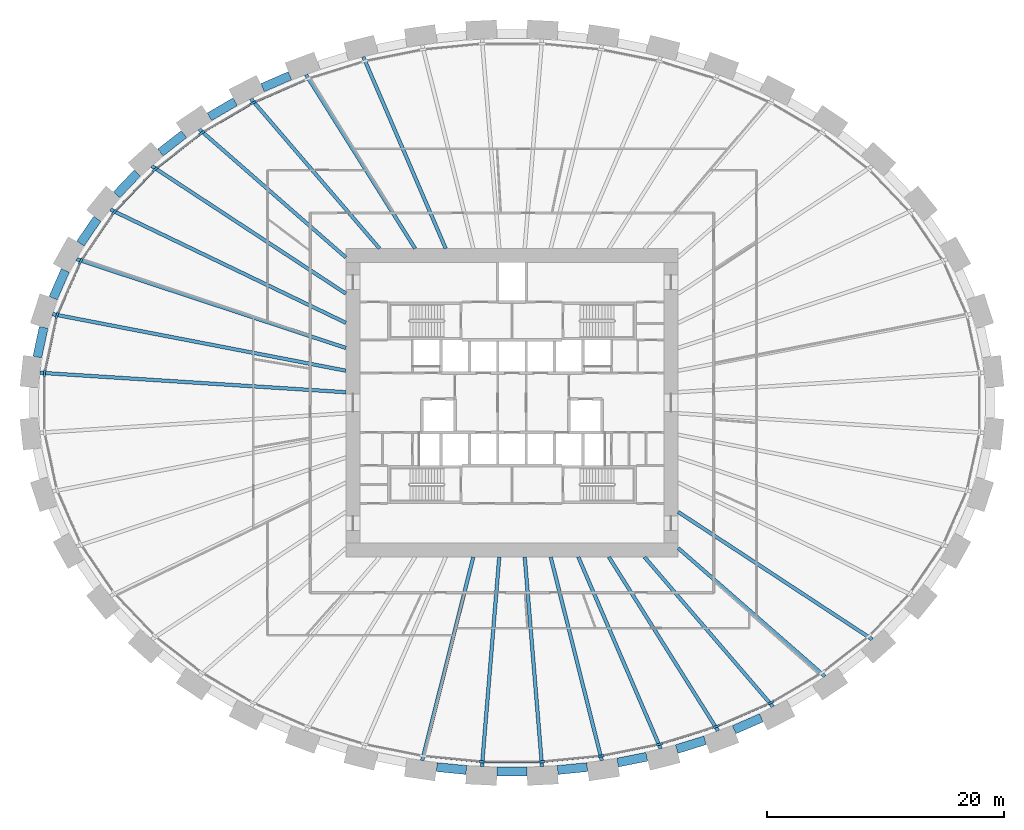
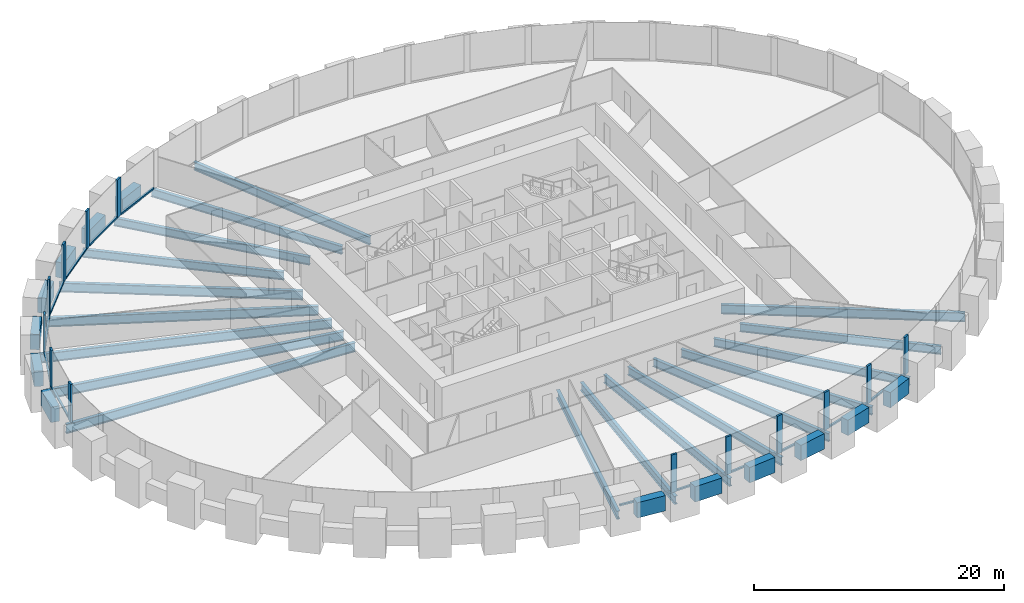
# One storey, part 2 of 11: 31 beams, 26 members, 1 element without a shape of its own.
"""IFC4 building model written with IfcOpenShell, lengths in metres."""

from ifc_helpers import new_model, si_unit, direction, frame, origin, origin_2d, place, context, subcontext, project, spatial, rectangle, i_section, extrude, source, transform, mapped, material, material_profile, profile_set, type_object, element, aggregate, save


model = new_model("IFC4")

# Units and contexts
model_context = context("Model", 3, precision=1e-05, world=origin(), true_north=direction((0.0, 1.0)))
body_context = subcontext(model_context, "Body", "Model", "MODEL_VIEW")
ifc_project = project(units=[si_unit("LENGTHUNIT", "METRE"), si_unit("AREAUNIT", "SQUARE_METRE"), si_unit("VOLUMEUNIT", "CUBIC_METRE"), si_unit("PLANEANGLEUNIT", "RADIAN"), si_unit("MASSUNIT", "GRAM", prefix="KILO")], contexts=[model_context])

# Site, building, storey
site_placement = place(None, origin())
site = spatial("IfcSite", under=ifc_project, at=site_placement, CompositionType="ELEMENT")
building_placement = place(site_placement, origin())
building = spatial("IfcBuilding", under=site, at=building_placement, Name="Embergate Tower", CompositionType="ELEMENT")
storey_placement = place(building_placement, frame((0.0, 0.0, 58.10009765625)))
storey = spatial("IfcBuildingStorey", under=building, at=storey_placement, Name="L10", CompositionType="ELEMENT", Elevation=58.10009765625)

# Beams
ifc_material_1 = material(Name="Concrete C70", Category="concrete")
ifc_material_profile_1 = material_profile(ifc_material_1, rectangle(XDim=0.75, YDim=1.5, at=origin_2d()), Name="RC 750x1500")
ifc_profile_set_1 = profile_set([ifc_material_profile_1], Name="Concrete C70")
beam_type_1 = type_object("IfcBeamType", Name="Spandrel beam RC 750x1500 C70", PredefinedType="BEAM", material=ifc_profile_set_1)
shared_shape_1 = source(origin(), body_context, "Body", "SweptSolid", [
    extrude(rectangle(XDim=0.75, YDim=1.5, at=origin_2d()), origin(), (0.0, 0.0, 1.0), 2.5439453125),
])
beam_1_placement = place(storey_placement, frame((-39.466064453125, 6.344970703125, 0.0), z_axis=(-0.210269633901, -0.977643432474, 0.0), x_axis=(0.977643432474, -0.210269633901, 0.0)))
element("IfcBeam", 1, at=beam_1_placement, inside=storey, type_object=beam_type_1, Name="SPN-L10-20", PredefinedType="BEAM", context=body_context, shape_type="MappedRepresentation", body=[
    mapped(shared_shape_1, transform((0.0, 0.0, 0.0))),
])
shared_shape_2 = source(origin(), body_context, "Body", "SweptSolid", [
    extrude(rectangle(XDim=0.75, YDim=1.5, at=origin_2d()), origin(), (0.0, 0.0, 1.0), 2.540771484375),
])
beam_2_placement = place(storey_placement, frame((-37.64599609375, 11.14599609375, 0.0), z_axis=(-0.401479097778, -0.915868185956, 0.0), x_axis=(0.915868185956, -0.401479097778, 0.0)))
element("IfcBeam", 2, at=beam_2_placement, inside=storey, type_object=beam_type_1, Name="SPN-L10-19", PredefinedType="BEAM", context=body_context, shape_type="MappedRepresentation", body=[
    mapped(shared_shape_2, transform((0.0, 0.0, 0.0))),
])
shared_shape_3 = source(origin(), body_context, "Body", "SweptSolid", [
    extrude(rectangle(XDim=0.75, YDim=1.5, at=origin_2d()), origin(), (0.0, 0.0, 1.0), 2.5302734375),
])
beam_3_placement = place(storey_placement, frame((-34.947021484375, 15.5029296875, 0.0), z_axis=(-0.562447254988, -0.82683316658, 0.0), x_axis=(0.82683316658, -0.562447254988, 0.0)))
element("IfcBeam", 3, at=beam_3_placement, inside=storey, type_object=beam_type_1, Name="SPN-L10-18", PredefinedType="BEAM", context=body_context, shape_type="MappedRepresentation", body=[
    mapped(shared_shape_3, transform((0.0, 0.0, 0.0))),
])
shared_shape_4 = source(origin(), body_context, "Body", "SweptSolid", [
    extrude(rectangle(XDim=0.75, YDim=1.5, at=origin_2d()), origin(), (0.0, 0.0, 1.0), 2.525146484375),
])
beam_4_placement = place(storey_placement, frame((-31.571044921875, 19.35302734375, 0.0), z_axis=(-0.689836216716, -0.723965464719, 0.0), x_axis=(0.723965464719, -0.689836216716, 0.0)))
element("IfcBeam", 4, at=beam_4_placement, inside=storey, type_object=beam_type_1, Name="SPN-L10-17", PredefinedType="BEAM", context=body_context, shape_type="MappedRepresentation", body=[
    mapped(shared_shape_4, transform((0.0, 0.0, 0.0))),
])
shared_shape_5 = source(origin(), body_context, "Body", "SweptSolid", [
    extrude(rectangle(XDim=0.75, YDim=1.5, at=origin_2d()), origin(), (0.0, 0.0, 1.0), 2.51708984375),
])
beam_5_placement = place(storey_placement, frame((-27.64599609375, 22.632080078125, 0.0), z_axis=(-0.788186103863, -0.615436971328, 0.0), x_axis=(0.615436971328, -0.788186103863, 0.0)))
element("IfcBeam", 5, at=beam_5_placement, inside=storey, type_object=beam_type_1, Name="SPN-L10-16", PredefinedType="BEAM", context=body_context, shape_type="MappedRepresentation", body=[
    mapped(shared_shape_5, transform((0.0, 0.0, 0.0))),
])
shared_shape_6 = source(origin(), body_context, "Body", "SweptSolid", [
    extrude(rectangle(XDim=0.75, YDim=1.5, at=origin_2d()), origin(), (0.0, 0.0, 1.0), 2.512451171875),
])
beam_6_placement = place(storey_placement, frame((-23.330078125, 25.366943359375, 0.0), z_axis=(-0.862138987282, -0.506671852986, 0.0), x_axis=(0.506671852986, -0.862138987282, 0.0)))
element("IfcBeam", 6, at=beam_6_placement, inside=storey, type_object=beam_type_1, Name="SPN-L10-15", PredefinedType="BEAM", context=body_context, shape_type="MappedRepresentation", body=[
    mapped(shared_shape_6, transform((0.0, 0.0, 0.0))),
])
shared_shape_7 = source(origin(), body_context, "Body", "SweptSolid", [
    extrude(rectangle(XDim=0.75, YDim=1.5, at=origin_2d()), origin(), (0.0, 0.0, 1.0), 2.508056640625),
])
for number, where, z_axis, x_axis, name in (
    (7, (-18.716064453125, 27.553955078125, 0.0), (-0.916219880472, -0.400675842331, 0.0), (0.400675842331, -0.916219880472, 0.0), "SPN-L10-14"),
    (8, (18.716064453125, -27.553955078125, 0.0), (0.916219880472, 0.400675842331, 0.0), (-0.400675842331, 0.916219880472, 0.0), "SPN-L10-36"),
):
    element("IfcBeam", number, at=place(storey_placement, frame(where, z_axis=z_axis, x_axis=x_axis)), inside=storey, type_object=beam_type_1, Name=name, PredefinedType="BEAM", context=body_context, shape_type="MappedRepresentation", body=[
        mapped(shared_shape_7, transform((0.0, 0.0, 0.0))),
    ])
shared_shape_8 = source(origin(), body_context, "Body", "SweptSolid", [
    extrude(rectangle(XDim=0.75, YDim=1.5, at=origin_2d()), origin(), (0.0, 0.0, 1.0), 2.505126953125),
])
beam_7_placement = place(storey_placement, frame((13.881103515625, -29.18896484375, 0.0), z_axis=(0.95477257779, 0.297337055715, 0.0), x_axis=(-0.297337055715, 0.95477257779, 0.0)))
element("IfcBeam", 9, at=beam_7_placement, inside=storey, type_object=beam_type_1, Name="SPN-L10-35", PredefinedType="BEAM", context=body_context, shape_type="MappedRepresentation", body=[
    mapped(shared_shape_8, transform((0.0, 0.0, 0.0))),
])
shared_shape_9 = source(origin(), body_context, "Body", "SweptSolid", [
    extrude(rectangle(XDim=0.75, YDim=1.5, at=origin_2d()), origin(), (0.0, 0.0, 1.0), 2.5029296875),
])
beam_8_placement = place(storey_placement, frame((8.907958984375, -30.323974609375, 0.0), z_axis=(0.980494293439, 0.196547552853, 0.0), x_axis=(-0.196547552853, 0.980494293439, 0.0)))
element("IfcBeam", 10, at=beam_8_placement, inside=storey, type_object=beam_type_1, Name="SPN-L10-34", PredefinedType="BEAM", context=body_context, shape_type="MappedRepresentation", body=[
    mapped(shared_shape_9, transform((0.0, 0.0, 0.0))),
])
shared_shape_10 = source(origin(), body_context, "Body", "SweptSolid", [
    extrude(rectangle(XDim=0.75, YDim=1.5, at=origin_2d()), origin(), (0.0, 0.0, 1.0), 2.5009765625),
])
for number, where, z_axis, x_axis, name in (
    (11, (-6.3369140625, -30.70703125, 0.0), (0.995195384031, -0.097908873976, 0.0), (0.097908873976, 0.995195384031, 0.0), "SPN-L10-31"),
    (12, (3.847900390625, -30.951904296875, 0.0), (0.995195384031, 0.097908873976, 0.0), (-0.097908873976, 0.995195384031, 0.0), "SPN-L10-33"),
):
    element("IfcBeam", number, at=place(storey_placement, frame(where, z_axis=z_axis, x_axis=x_axis)), inside=storey, type_object=beam_type_1, Name=name, PredefinedType="BEAM", context=body_context, shape_type="MappedRepresentation", body=[
        mapped(shared_shape_10, transform((0.0, 0.0, 0.0))),
    ])
shared_shape_11 = source(origin(), body_context, "Body", "SweptSolid", [
    extrude(rectangle(XDim=0.75, YDim=1.5, at=origin_2d()), origin(), (0.0, 0.0, 1.0), 2.501953125),
])
beam_9_placement = place(storey_placement, frame((-1.2509765625, -31.0791015625, 0.0), z_axis=(1.0, 0.0, 0.0), x_axis=(0.0, 1.0, 0.0)))
element("IfcBeam", 13, at=beam_9_placement, inside=storey, type_object=beam_type_1, Name="SPN-L10-32", PredefinedType="BEAM", context=body_context, shape_type="MappedRepresentation", body=[
    mapped(shared_shape_11, transform((0.0, 0.0, 0.0))),
])
ifc_material_2 = material(Name="Steel Q355B", Category="steel")
ifc_material_profile_2 = material_profile(ifc_material_2, i_section(OverallWidth=0.300048828125, OverallDepth=0.89990234375, WebThickness=0.01611328125, FlangeThickness=0.028076171875, FilletRadius=0.028076171875, at=origin_2d()), Name="HN 900x300x16x28")
ifc_profile_set_2 = profile_set([ifc_material_profile_2], Name="Steel Q355 grade B")
beam_type_2 = type_object("IfcBeamType", Name="Radial girder HN 900x300x16x28", PredefinedType="BEAM", material=ifc_profile_set_2)
shared_shape_12 = source(origin(), body_context, "Body", "SweptSolid", [
    extrude(i_section(OverallWidth=0.300048828125, OverallDepth=0.89990234375, WebThickness=0.01611328125, FlangeThickness=0.028076171875, FilletRadius=0.028076171875, at=origin_2d()), origin(), (0.0, 0.0, 1.0), 25.8330078125),
])
beam_10_placement = place(storey_placement, frame((-39.781005859375, 2.527099609375, -0.650146484375), z_axis=(0.997987282957, -0.063414375786, 0.0), x_axis=(0.063414375786, 0.997987282957, 0.0)))
element("IfcBeam", 14, at=beam_10_placement, inside=storey, type_object=beam_type_2, Name="GIR-L10-21", PredefinedType="BEAM", context=body_context, shape_type="MappedRepresentation", body=[
    mapped(shared_shape_12, transform((0.0, 0.0, 0.0))),
])
shared_shape_13 = source(origin(), body_context, "Body", "SweptSolid", [
    extrude(i_section(OverallWidth=0.300048828125, OverallDepth=0.89990234375, WebThickness=0.01611328125, FlangeThickness=0.028076171875, FilletRadius=0.028076171875, at=origin_2d()), origin(), (0.0, 0.0, 1.0), 25.173583984375),
])
beam_11_placement = place(storey_placement, frame((-38.718017578125, 7.468994140625, -0.650146484375), z_axis=(0.981898721565, -0.189406706822, 0.0), x_axis=(0.189406706822, 0.981898721565, 0.0)))
element("IfcBeam", 15, at=beam_11_placement, inside=storey, type_object=beam_type_2, Name="GIR-L10-20", PredefinedType="BEAM", context=body_context, shape_type="MappedRepresentation", body=[
    mapped(shared_shape_13, transform((0.0, 0.0, 0.0))),
])
shared_shape_14 = source(origin(), body_context, "Body", "SweptSolid", [
    extrude(i_section(OverallWidth=0.300048828125, OverallDepth=0.89990234375, WebThickness=0.01611328125, FlangeThickness=0.028076171875, FilletRadius=0.028076171875, at=origin_2d()), origin(), (0.0, 0.0, 1.0), 23.889404296875),
])
beam_12_placement = place(storey_placement, frame((-36.68701171875, 12.10009765625, -0.650146484375), z_axis=(0.949672981662, -0.313243081171, 0.0), x_axis=(0.313243081171, 0.949672981662, 0.0)))
element("IfcBeam", 16, at=beam_12_placement, inside=storey, type_object=beam_type_2, Name="GIR-L10-19", PredefinedType="BEAM", context=body_context, shape_type="MappedRepresentation", body=[
    mapped(shared_shape_14, transform((0.0, 0.0, 0.0))),
])
shared_shape_15 = source(origin(), body_context, "Body", "SweptSolid", [
    extrude(i_section(OverallWidth=0.300048828125, OverallDepth=0.89990234375, WebThickness=0.01611328125, FlangeThickness=0.028076171875, FilletRadius=0.028076171875, at=origin_2d()), origin(), (0.0, 0.0, 1.0), 22.020751953125),
])
beam_13_placement = place(storey_placement, frame((-33.843994140625, 16.281005859375, -0.650146484375), z_axis=(0.90115457104, -0.433497911291, 0.0), x_axis=(0.433497911291, 0.90115457104, 0.0)))
element("IfcBeam", 17, at=beam_13_placement, inside=storey, type_object=beam_type_2, Name="GIR-L10-18", PredefinedType="BEAM", context=body_context, shape_type="MappedRepresentation", body=[
    mapped(shared_shape_15, transform((0.0, 0.0, 0.0))),
])
shared_shape_16 = source(origin(), body_context, "Body", "SweptSolid", [
    extrude(i_section(OverallWidth=0.300048828125, OverallDepth=0.89990234375, WebThickness=0.01611328125, FlangeThickness=0.028076171875, FilletRadius=0.028076171875, at=origin_2d()), origin(), (0.0, 0.0, 1.0), 19.56591796875),
])
for number, where, z_axis, x_axis, name in (
    (18, (-30.35205078125, 19.94189453125, -0.650146484375), (0.835746219167, -0.549115886812, 0.0), (0.549115886812, 0.835746219167, 0.0), "GIR-L10-17"),
    (19, (30.35205078125, -19.94189453125, -0.650146484375), (-0.835746219167, 0.549115886812, 0.0), (-0.549115886812, -0.835746219167, 0.0), "GIR-L10-39"),
):
    element("IfcBeam", number, at=place(storey_placement, frame(where, z_axis=z_axis, x_axis=x_axis)), inside=storey, type_object=beam_type_2, Name=name, PredefinedType="BEAM", context=body_context, shape_type="MappedRepresentation", body=[
        mapped(shared_shape_16, transform((0.0, 0.0, 0.0))),
    ])
ifc_material_profile_3 = material_profile(ifc_material_2, i_section(OverallWidth=0.300048828125, OverallDepth=0.800048828125, WebThickness=0.013916015625, FlangeThickness=0.02587890625, FilletRadius=0.028076171875, at=origin_2d()), Name="HN 800x300x14x26")
ifc_profile_set_3 = profile_set([ifc_material_profile_3], Name="Steel Q355 grade B")
beam_type_3 = type_object("IfcBeamType", Name="Radial girder HN 800x300x14x26", PredefinedType="BEAM", material=ifc_profile_set_3)
shared_shape_17 = source(origin(), body_context, "Body", "SweptSolid", [
    extrude(i_section(OverallWidth=0.300048828125, OverallDepth=0.800048828125, WebThickness=0.013916015625, FlangeThickness=0.02587890625, FilletRadius=0.028076171875, at=origin_2d()), origin(), (0.0, 0.0, 1.0), 16.424560546875),
])
for number, where, z_axis, x_axis, name in (
    (20, (-26.364013671875, 23.055908203125, -0.60009765625), (0.752772791173, -0.658280430265, 0.0), (0.658280430265, 0.752772791173, 0.0), "GIR-L10-16"),
    (21, (26.364013671875, -23.055908203125, -0.60009765625), (-0.752772791173, 0.658280430265, 0.0), (-0.658280430265, -0.752772791173, 0.0), "GIR-L10-38"),
):
    element("IfcBeam", number, at=place(storey_placement, frame(where, z_axis=z_axis, x_axis=x_axis)), inside=storey, type_object=beam_type_3, Name=name, PredefinedType="BEAM", context=body_context, shape_type="MappedRepresentation", body=[
        mapped(shared_shape_17, transform((0.0, 0.0, 0.0))),
    ])
shared_shape_18 = source(origin(), body_context, "Body", "SweptSolid", [
    extrude(i_section(OverallWidth=0.300048828125, OverallDepth=0.800048828125, WebThickness=0.013916015625, FlangeThickness=0.02587890625, FilletRadius=0.028076171875, at=origin_2d()), origin(), (0.0, 0.0, 1.0), 16.6357421875),
])
for number, where, z_axis, x_axis, name in (
    (22, (-22.0009765625, 25.62109375, -0.60009765625), (0.651477578484, -0.758667888297, 0.0), (0.758667888297, 0.651477578484, 0.0), "GIR-L10-15"),
    (23, (22.0009765625, -25.62109375, -0.60009765625), (-0.651477578484, 0.758667888297, 0.0), (-0.758667888297, -0.651477578484, 0.0), "GIR-L10-37"),
):
    element("IfcBeam", number, at=place(storey_placement, frame(where, z_axis=z_axis, x_axis=x_axis)), inside=storey, type_object=beam_type_3, Name=name, PredefinedType="BEAM", context=body_context, shape_type="MappedRepresentation", body=[
        mapped(shared_shape_18, transform((0.0, 0.0, 0.0))),
    ])
shared_shape_19 = source(origin(), body_context, "Body", "SweptSolid", [
    extrude(i_section(OverallWidth=0.300048828125, OverallDepth=0.800048828125, WebThickness=0.013916015625, FlangeThickness=0.02587890625, FilletRadius=0.028076171875, at=origin_2d()), origin(), (0.0, 0.0, 1.0), 17.29833984375),
])
for number, where, z_axis, x_axis, name in (
    (24, (-17.364013671875, 27.64892578125, -0.60009765625), (0.53184228431, -0.84684342391, 0.0), (0.84684342391, 0.53184228431, 0.0), "GIR-L10-14"),
    (25, (17.364013671875, -27.64892578125, -0.60009765625), (-0.53184228431, 0.84684342391, 0.0), (-0.84684342391, -0.53184228431, 0.0), "GIR-L10-36"),
):
    element("IfcBeam", number, at=place(storey_placement, frame(where, z_axis=z_axis, x_axis=x_axis)), inside=storey, type_object=beam_type_3, Name=name, PredefinedType="BEAM", context=body_context, shape_type="MappedRepresentation", body=[
        mapped(shared_shape_19, transform((0.0, 0.0, 0.0))),
    ])
shared_shape_20 = source(origin(), body_context, "Body", "SweptSolid", [
    extrude(i_section(OverallWidth=0.300048828125, OverallDepth=0.800048828125, WebThickness=0.013916015625, FlangeThickness=0.02587890625, FilletRadius=0.028076171875, at=origin_2d()), origin(), (0.0, 0.0, 1.0), 17.5830078125),
])
for number, where, z_axis, x_axis, name in (
    (26, (-12.531005859375, 29.154052734375, -0.60009765625), (0.394877633305, -0.91873372351, 0.0), (0.91873372351, 0.394877633305, 0.0), "GIR-L10-13"),
    (27, (12.531005859375, -29.154052734375, -0.60009765625), (-0.394877633305, 0.91873372351, 0.0), (-0.91873372351, -0.394877633305, 0.0), "GIR-L10-35"),
):
    element("IfcBeam", number, at=place(storey_placement, frame(where, z_axis=z_axis, x_axis=x_axis)), inside=storey, type_object=beam_type_3, Name=name, PredefinedType="BEAM", context=body_context, shape_type="MappedRepresentation", body=[
        mapped(shared_shape_20, transform((0.0, 0.0, 0.0))),
    ])
shared_shape_21 = source(origin(), body_context, "Body", "SweptSolid", [
    extrude(i_section(OverallWidth=0.300048828125, OverallDepth=0.800048828125, WebThickness=0.013916015625, FlangeThickness=0.02587890625, FilletRadius=0.028076171875, at=origin_2d()), origin(), (0.0, 0.0, 1.0), 17.68115234375),
])
for number, where, z_axis, x_axis, name in (
    (28, (-7.568115234375, -30.14892578125, -0.60009765625), (0.243490697854, 0.969903232317, 0.0), (-0.969903232317, 0.243490697854, 0.0), "GIR-L10-31"),
    (29, (7.568115234375, -30.14892578125, -0.60009765625), (-0.243490697854, 0.969903232317, 0.0), (-0.969903232317, -0.243490697854, 0.0), "GIR-L10-34"),
):
    element("IfcBeam", number, at=place(storey_placement, frame(where, z_axis=z_axis, x_axis=x_axis)), inside=storey, type_object=beam_type_3, Name=name, PredefinedType="BEAM", context=body_context, shape_type="MappedRepresentation", body=[
        mapped(shared_shape_21, transform((0.0, 0.0, 0.0))),
    ])
shared_shape_22 = source(origin(), body_context, "Body", "SweptSolid", [
    extrude(i_section(OverallWidth=0.300048828125, OverallDepth=0.800048828125, WebThickness=0.013916015625, FlangeThickness=0.02587890625, FilletRadius=0.028076171875, at=origin_2d()), origin(), (0.0, 0.0, 1.0), 17.7041015625),
])
for number, where, z_axis, x_axis, name in (
    (30, (-2.531005859375, -30.64404296875, -0.60009765625), (0.082299081422, 0.99660767667, 0.0), (-0.99660767667, 0.082299081422, 0.0), "GIR-L10-32"),
    (31, (2.531005859375, -30.64404296875, -0.60009765625), (-0.082299081422, 0.99660767667, 0.0), (-0.99660767667, -0.082299081422, 0.0), "GIR-L10-33"),
):
    element("IfcBeam", number, at=place(storey_placement, frame(where, z_axis=z_axis, x_axis=x_axis)), inside=storey, type_object=beam_type_3, Name=name, PredefinedType="BEAM", context=body_context, shape_type="MappedRepresentation", body=[
        mapped(shared_shape_22, transform((0.0, 0.0, 0.0))),
    ])

# Curtain wall, members
ifc_material_3 = material(Name="Aluminium and glass", Category="aluminium")
curtain_wall_type = type_object("IfcCurtainWallType", Name="Recessed office glazing", PredefinedType="NOTDEFINED", material=ifc_material_3)
curtain_wall_placement = place(storey_placement, origin())
curtain_wall = element("IfcCurtainWall", 32, at=curtain_wall_placement, inside=storey, type_object=curtain_wall_type, Name="Recessed office glazing ring", ObjectType="RECESSED OFFICE GLAZING", PredefinedType="USERDEFINED")
ifc_material_4 = material(Name="Aluminium, thermally broken", Category="aluminium")
ifc_material_profile_4 = material_profile(ifc_material_4, rectangle(XDim=0.179931640625, YDim=0.52001953125, at=origin_2d()), Name="AL 520x180")
ifc_profile_set_4 = profile_set([ifc_material_profile_4], Name="Aluminium, thermally broken")
member_type_1 = type_object("IfcMemberType", Name="Office mullion", PredefinedType="MULLION", material=ifc_profile_set_4)
shared_shape_23 = source(origin(), body_context, "Body", "SweptSolid", [
    extrude(rectangle(XDim=0.179931640625, YDim=0.52001953125, at=origin_2d()), origin(), (0.0, 0.0, 1.0), 3.699951171875),
])
member_1_placement = place(storey_placement, frame((-21.824462890625, 25.273193359375, 0.0), z_axis=(0.0, 0.0, 1.0), x_axis=(0.454520708319, -0.890736170653, 0.0)))
member_1 = element("IfcMember", 33, at=member_1_placement, type_object=member_type_1, Name="CW mullion 16", PredefinedType="MULLION", context=body_context, shape_type="MappedRepresentation", body=[
    mapped(shared_shape_23, transform((0.0, 0.0, 0.0))),
])
member_2_placement = place(storey_placement, frame((-26.14501953125, 22.73291015625, 0.0), z_axis=(0.0, 0.0, 1.0), x_axis=(0.562229165438, -0.826981478348, 0.0)))
member_2 = element("IfcMember", 34, at=member_2_placement, type_object=member_type_1, Name="CW mullion 17", PredefinedType="MULLION", context=body_context, shape_type="MappedRepresentation", body=[
    mapped(shared_shape_23, transform((0.0, 0.0, 0.0))),
])
member_3_placement = place(storey_placement, frame((-30.09130859375, 19.65283203125, 0.0), z_axis=(0.0, 0.0, 1.0), x_axis=(0.671239471147, -0.741240563093, 0.0)))
member_3 = element("IfcMember", 35, at=member_3_placement, type_object=member_type_1, Name="CW mullion 18", PredefinedType="MULLION", context=body_context, shape_type="MappedRepresentation", body=[
    mapped(shared_shape_23, transform((0.0, 0.0, 0.0))),
])
member_4_placement = place(storey_placement, frame((-33.541015625, 16.035400390625, 0.0), z_axis=(0.0, 0.0, 1.0), x_axis=(0.777883532271, -0.628408474022, 0.0)))
member_4 = element("IfcMember", 36, at=member_4_placement, type_object=member_type_1, Name="CW mullion 19", PredefinedType="MULLION", context=body_context, shape_type="MappedRepresentation", body=[
    mapped(shared_shape_23, transform((0.0, 0.0, 0.0))),
])
member_5_placement = place(storey_placement, frame((-36.3466796875, 11.909423828125, 0.0), z_axis=(0.0, 0.0, 1.0), x_axis=(0.875010345178, -0.48410422001, 0.0)))
member_5 = element("IfcMember", 37, at=member_5_placement, type_object=member_type_1, Name="CW mullion 20", PredefinedType="MULLION", context=body_context, shape_type="MappedRepresentation", body=[
    mapped(shared_shape_23, transform((0.0, 0.0, 0.0))),
])
member_6_placement = place(storey_placement, frame((-38.347412109375, 7.347900390625, 0.0), z_axis=(0.0, 0.0, 1.0), x_axis=(0.951502093582, -0.307642269381, 0.0)))
member_6 = element("IfcMember", 38, at=member_6_placement, type_object=member_type_1, Name="CW mullion 21", PredefinedType="MULLION", context=body_context, shape_type="MappedRepresentation", body=[
    mapped(shared_shape_23, transform((0.0, 0.0, 0.0))),
])
member_7_placement = place(storey_placement, frame((-39.393798828125, 2.485595703125, 0.0), z_axis=(0.0, 0.0, 1.0), x_axis=(0.994385508811, -0.105818050756, 0.0)))
member_7 = element("IfcMember", 39, at=member_7_placement, type_object=member_type_1, Name="CW mullion 22", PredefinedType="MULLION", context=body_context, shape_type="MappedRepresentation", body=[
    mapped(shared_shape_23, transform((0.0, 0.0, 0.0))),
])
member_8_placement = place(storey_placement, frame((-2.511962890625, -30.254638671875, 0.0), z_axis=(0.0, 0.0, 1.0), x_axis=(0.048971796621, 0.998800161762, 0.0)))
member_8 = element("IfcMember", 40, at=member_8_placement, type_object=member_type_1, Name="CW mullion 33", PredefinedType="MULLION", context=body_context, shape_type="MappedRepresentation", body=[
    mapped(shared_shape_23, transform((0.0, 0.0, 0.0))),
])
member_9_placement = place(storey_placement, frame((2.511962890625, -30.254638671875, 0.0), z_axis=(0.0, 0.0, 1.0), x_axis=(-0.048971796621, 0.998800161762, 0.0)))
member_9 = element("IfcMember", 41, at=member_9_placement, type_object=member_type_1, Name="CW mullion 34", PredefinedType="MULLION", context=body_context, shape_type="MappedRepresentation", body=[
    mapped(shared_shape_23, transform((0.0, 0.0, 0.0))),
])
member_10_placement = place(storey_placement, frame((7.51123046875, -29.76318359375, 0.0), z_axis=(0.0, 0.0, 1.0), x_axis=(-0.147415835341, 0.989074603602, 0.0)))
member_10 = element("IfcMember", 42, at=member_10_placement, type_object=member_type_1, Name="CW mullion 35", PredefinedType="MULLION", context=body_context, shape_type="MappedRepresentation", body=[
    mapped(shared_shape_23, transform((0.0, 0.0, 0.0))),
])
member_11_placement = place(storey_placement, frame((12.435302734375, -28.775634765625, 0.0), z_axis=(0.0, 0.0, 1.0), x_axis=(-0.247318645812, 0.968934201808, 0.0)))
member_11 = element("IfcMember", 43, at=member_11_placement, type_object=member_type_1, Name="CW mullion 36", PredefinedType="MULLION", context=body_context, shape_type="MappedRepresentation", body=[
    mapped(shared_shape_23, transform((0.0, 0.0, 0.0))),
])
member_12_placement = place(storey_placement, frame((17.22802734375, -27.282958984375, 0.0), z_axis=(0.0, 0.0, 1.0), x_axis=(-0.349510859141, 0.936932313106, 0.0)))
member_12 = element("IfcMember", 44, at=member_12_placement, type_object=member_type_1, Name="CW mullion 37", PredefinedType="MULLION", context=body_context, shape_type="MappedRepresentation", body=[
    mapped(shared_shape_23, transform((0.0, 0.0, 0.0))),
])
member_13_placement = place(storey_placement, frame((21.824462890625, -25.273193359375, 0.0), z_axis=(0.0, 0.0, 1.0), x_axis=(-0.454520708319, 0.890736170653, 0.0)))
member_13 = element("IfcMember", 45, at=member_13_placement, type_object=member_type_1, Name="CW mullion 38", PredefinedType="MULLION", context=body_context, shape_type="MappedRepresentation", body=[
    mapped(shared_shape_23, transform((0.0, 0.0, 0.0))),
])
ifc_material_profile_5 = material_profile(ifc_material_4, rectangle(XDim=0.179931640625, YDim=0.14990234375, at=origin_2d()), Name="AL 150x180")
ifc_profile_set_5 = profile_set([ifc_material_profile_5], Name="Aluminium, thermally broken")
member_type_2 = type_object("IfcMemberType", Name="Office sill transom", PredefinedType="USERDEFINED", material=ifc_profile_set_5)
shared_shape_24 = source(origin(), body_context, "Body", "SweptSolid", [
    extrude(rectangle(XDim=0.179931640625, YDim=0.14990234375, at=origin_2d()), origin(), (0.0, 0.0, 1.0), 4.45361328125),
])
member_14_placement = place(storey_placement, frame((-38.402099609375, 7.09375, 0.074951171875), z_axis=(-0.210390045313, -0.977617526865, 0.0), x_axis=(0.977617526865, -0.210390045313, 0.0)))
member_14 = element("IfcMember", 46, at=member_14_placement, type_object=member_type_2, Name="CW transom 21.1", ObjectType="TRANSOM", PredefinedType="USERDEFINED", context=body_context, shape_type="MappedRepresentation", body=[
    mapped(shared_shape_24, transform((0.0, 0.0, 0.0))),
])
shared_shape_25 = source(origin(), body_context, "Body", "SweptSolid", [
    extrude(rectangle(XDim=0.179931640625, YDim=0.14990234375, at=origin_2d()), origin(), (0.0, 0.0, 1.0), 4.460693359375),
])
member_15_placement = place(storey_placement, frame((-36.451416015625, 11.67138671875, 0.074951171875), z_axis=(-0.401613983085, -0.915809045921, 0.0), x_axis=(0.915809045921, -0.401613983085, 0.0)))
member_15 = element("IfcMember", 47, at=member_15_placement, type_object=member_type_2, Name="CW transom 20.1", ObjectType="TRANSOM", PredefinedType="USERDEFINED", context=body_context, shape_type="MappedRepresentation", body=[
    mapped(shared_shape_25, transform((0.0, 0.0, 0.0))),
])
shared_shape_26 = source(origin(), body_context, "Body", "SweptSolid", [
    extrude(rectangle(XDim=0.179931640625, YDim=0.14990234375, at=origin_2d()), origin(), (0.0, 0.0, 1.0), 4.4697265625),
])
member_16_placement = place(storey_placement, frame((-33.687255859375, 15.820556640625, 0.074951171875), z_axis=(-0.562327949545, -0.826914310652, 0.0), x_axis=(0.826914310652, -0.562327949545, 0.0)))
member_16 = element("IfcMember", 48, at=member_16_placement, type_object=member_type_2, Name="CW transom 19.1", ObjectType="TRANSOM", PredefinedType="USERDEFINED", context=body_context, shape_type="MappedRepresentation", body=[
    mapped(shared_shape_26, transform((0.0, 0.0, 0.0))),
])
shared_shape_27 = source(origin(), body_context, "Body", "SweptSolid", [
    extrude(rectangle(XDim=0.179931640625, YDim=0.14990234375, at=origin_2d()), origin(), (0.0, 0.0, 1.0), 4.478515625),
])
member_17_placement = place(storey_placement, frame((-30.270751953125, 19.464599609375, 0.074951171875), z_axis=(-0.690145055563, -0.723671059447, 0.0), x_axis=(0.723671059447, -0.690145055563, 0.0)))
member_17 = element("IfcMember", 49, at=member_17_placement, type_object=member_type_2, Name="CW transom 18.1", ObjectType="TRANSOM", PredefinedType="USERDEFINED", context=body_context, shape_type="MappedRepresentation", body=[
    mapped(shared_shape_27, transform((0.0, 0.0, 0.0))),
])
shared_shape_28 = source(origin(), body_context, "Body", "SweptSolid", [
    extrude(rectangle(XDim=0.179931640625, YDim=0.14990234375, at=origin_2d()), origin(), (0.0, 0.0, 1.0), 4.486083984375),
])
member_18_placement = place(storey_placement, frame((-26.35009765625, 22.572998046875, 0.074951171875), z_axis=(-0.78829904423, -0.615292301972, 0.0), x_axis=(0.615292301972, -0.78829904423, 0.0)))
member_18 = element("IfcMember", 50, at=member_18_placement, type_object=member_type_2, Name="CW transom 17.1", ObjectType="TRANSOM", PredefinedType="USERDEFINED", context=body_context, shape_type="MappedRepresentation", body=[
    mapped(shared_shape_28, transform((0.0, 0.0, 0.0))),
])
shared_shape_29 = source(origin(), body_context, "Body", "SweptSolid", [
    extrude(rectangle(XDim=0.179931640625, YDim=0.14990234375, at=origin_2d()), origin(), (0.0, 0.0, 1.0), 4.491943359375),
])
member_19_placement = place(storey_placement, frame((-22.048583984375, 25.141357421875, 0.074951171875), z_axis=(-0.8620529522, -0.506818219486, 0.0), x_axis=(0.506818219486, -0.8620529522, 0.0)))
member_19 = element("IfcMember", 51, at=member_19_placement, type_object=member_type_2, Name="CW transom 16.1", ObjectType="TRANSOM", PredefinedType="USERDEFINED", context=body_context, shape_type="MappedRepresentation", body=[
    mapped(shared_shape_29, transform((0.0, 0.0, 0.0))),
])
shared_shape_30 = source(origin(), body_context, "Body", "SweptSolid", [
    extrude(rectangle(XDim=0.179931640625, YDim=0.14990234375, at=origin_2d()), origin(), (0.0, 0.0, 1.0), 4.49658203125),
])
member_20_placement = place(storey_placement, frame((-17.46630859375, 27.178955078125, 0.074951171875), z_axis=(-0.9162134002, -0.400690660354, 0.0), x_axis=(0.400690660354, -0.9162134002, 0.0)))
member_20 = element("IfcMember", 52, at=member_20_placement, type_object=member_type_2, Name="CW transom 15.1", ObjectType="TRANSOM", PredefinedType="USERDEFINED", context=body_context, shape_type="MappedRepresentation", body=[
    mapped(shared_shape_30, transform((0.0, 0.0, 0.0))),
])
member_21_placement = place(storey_placement, frame((17.46630859375, -27.178955078125, 0.074951171875), z_axis=(0.9162134002, 0.400690660354, 0.0), x_axis=(-0.400690660354, 0.9162134002, 0.0)))
member_21 = element("IfcMember", 53, at=member_21_placement, type_object=member_type_2, Name="CW transom 37.1", ObjectType="TRANSOM", PredefinedType="USERDEFINED", context=body_context, shape_type="MappedRepresentation", body=[
    mapped(shared_shape_30, transform((0.0, 0.0, 0.0))),
])
shared_shape_31 = source(origin(), body_context, "Body", "SweptSolid", [
    extrude(rectangle(XDim=0.179931640625, YDim=0.14990234375, at=origin_2d()), origin(), (0.0, 0.0, 1.0), 4.5),
])
member_22_placement = place(storey_placement, frame((12.68359375, -28.698486328125, 0.074951171875), z_axis=(0.954763366225, 0.297366633156, 0.0), x_axis=(-0.297366633156, 0.954763366225, 0.0)))
member_22 = element("IfcMember", 54, at=member_22_placement, type_object=member_type_2, Name="CW transom 36.1", ObjectType="TRANSOM", PredefinedType="USERDEFINED", context=body_context, shape_type="MappedRepresentation", body=[
    mapped(shared_shape_31, transform((0.0, 0.0, 0.0))),
])
shared_shape_32 = source(origin(), body_context, "Body", "SweptSolid", [
    extrude(rectangle(XDim=0.179931640625, YDim=0.14990234375, at=origin_2d()), origin(), (0.0, 0.0, 1.0), 4.502197265625),
])
member_23_placement = place(storey_placement, frame((7.76611328125, -29.712158203125, 0.074951171875), z_axis=(0.980478345518, 0.196627093681, 0.0), x_axis=(-0.196627093681, 0.980478345518, 0.0)))
member_23 = element("IfcMember", 55, at=member_23_placement, type_object=member_type_2, Name="CW transom 35.1", ObjectType="TRANSOM", PredefinedType="USERDEFINED", context=body_context, shape_type="MappedRepresentation", body=[
    mapped(shared_shape_32, transform((0.0, 0.0, 0.0))),
])
shared_shape_33 = source(origin(), body_context, "Body", "SweptSolid", [
    extrude(rectangle(XDim=0.179931640625, YDim=0.14990234375, at=origin_2d()), origin(), (0.0, 0.0, 1.0), 4.503173828125),
])
member_24_placement = place(storey_placement, frame((-7.25244140625, -29.788818359375, 0.074951171875), z_axis=(0.995205892048, -0.097802006279, 0.0), x_axis=(0.097802006279, 0.995205892048, 0.0)))
member_24 = element("IfcMember", 56, at=member_24_placement, type_object=member_type_2, Name="CW transom 32.1", ObjectType="TRANSOM", PredefinedType="USERDEFINED", context=body_context, shape_type="MappedRepresentation", body=[
    mapped(shared_shape_33, transform((0.0, 0.0, 0.0))),
])
member_25_placement = place(storey_placement, frame((2.770751953125, -30.229248046875, 0.074951171875), z_axis=(0.995205892048, 0.097802006279, 0.0), x_axis=(-0.097802006279, 0.995205892048, 0.0)))
member_25 = element("IfcMember", 57, at=member_25_placement, type_object=member_type_2, Name="CW transom 34.1", ObjectType="TRANSOM", PredefinedType="USERDEFINED", context=body_context, shape_type="MappedRepresentation", body=[
    mapped(shared_shape_33, transform((0.0, 0.0, 0.0))),
])
shared_shape_34 = source(origin(), body_context, "Body", "SweptSolid", [
    extrude(rectangle(XDim=0.179931640625, YDim=0.14990234375, at=origin_2d()), origin(), (0.0, 0.0, 1.0), 4.50390625),
])
member_26_placement = place(storey_placement, frame((-2.251953125, -30.254638671875, 0.074951171875), z_axis=(1.0, 0.0, 0.0), x_axis=(0.0, 1.0, 0.0)))
member_26 = element("IfcMember", 58, at=member_26_placement, type_object=member_type_2, Name="CW transom 33.1", ObjectType="TRANSOM", PredefinedType="USERDEFINED", context=body_context, shape_type="MappedRepresentation", body=[
    mapped(shared_shape_34, transform((0.0, 0.0, 0.0))),
])
aggregate(curtain_wall, [member_1, member_2, member_3, member_4, member_5, member_6, member_7, member_8, member_9, member_10, member_11, member_12, member_13, member_20, member_19, member_18, member_17, member_16, member_15, member_14, member_24, member_26, member_25, member_23, member_22, member_21])

save(model, "model.ifc")
